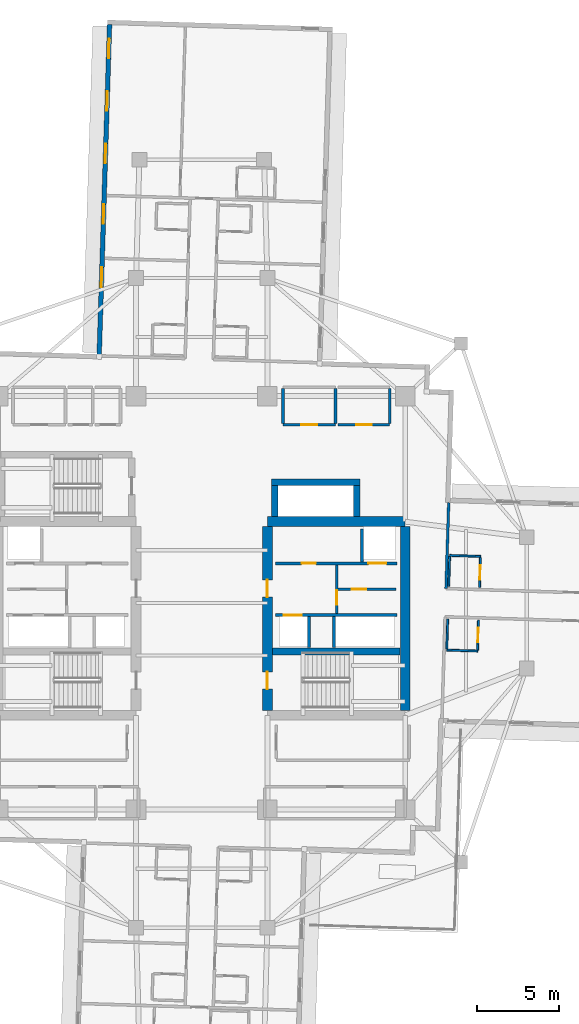
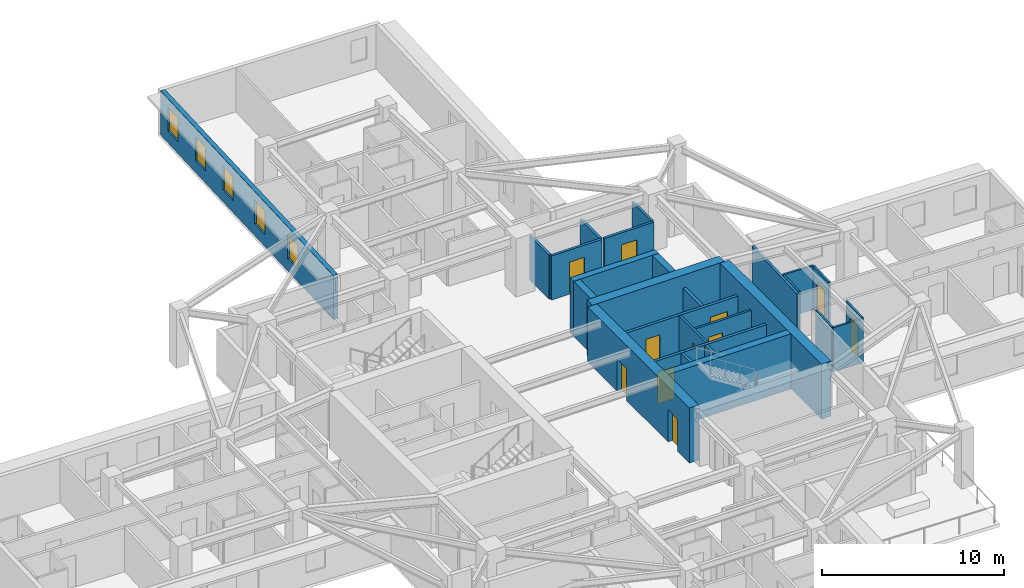
# One storey, part 7 of 14: 27 walls, 11 doors, 5 windows, 16 openings.
"""IFC4 building model written with IfcOpenShell, lengths in metres."""

from ifc_helpers import new_model, si_unit, direction, frame, frame_2d, origin, place, context, subcontext, project, spatial, rectangle, extrude, material, layer, layer_set, type_object, element, fill, save


model = new_model("IFC4")

# Units and contexts
model_context = context("Model", 3, precision=1e-05, world=origin(), true_north=direction((0.0, 1.0)))
body_context = subcontext(model_context, "Body", "Model", "MODEL_VIEW")
ifc_project = project(units=[si_unit("LENGTHUNIT", "METRE"), si_unit("AREAUNIT", "SQUARE_METRE"), si_unit("VOLUMEUNIT", "CUBIC_METRE"), si_unit("PLANEANGLEUNIT", "RADIAN"), si_unit("MASSUNIT", "GRAM", prefix="KILO")], contexts=[model_context])

# Site, building, storey
site_placement = place(None, origin())
site = spatial("IfcSite", under=ifc_project, at=site_placement, CompositionType="ELEMENT")
building_placement = place(site_placement, origin())
building = spatial("IfcBuilding", under=site, at=building_placement, Name="Qingluan Cross Belvedere", CompositionType="ELEMENT")
storey_placement = place(building_placement, frame((0.0, 0.0, 176.10009765625)))
storey = spatial("IfcBuildingStorey", under=building, at=storey_placement, Name="L44", CompositionType="ELEMENT", Elevation=176.10009765625)

# Walls
ifc_material_1 = material(Name="Concrete C50", Category="concrete")
ifc_layer_1 = layer(ifc_material_1, 0.449951171875, Name="CoreShearWall_450")
ifc_layer_set_1 = layer_set([ifc_layer_1], Name="Concrete C50")
wall_type_1 = type_object("IfcWallType", Name="CoreShearWall_450", PredefinedType="SHEAR", material=ifc_layer_set_1)
wall_1_placement = place(storey_placement, frame((4.304931640625, -2.9599609375, 0.0), z_axis=(0.0, 0.0, 1.0), x_axis=(1.0, 0.0, 0.0)))
element("IfcWall", 1, at=wall_1_placement, inside=storey, type_object=wall_type_1, Name="Split core E shear wall L44-M", PredefinedType="SHEAR", context=body_context, shape_type="SweptSolid", body=[
    extrude(rectangle(XDim=7.7900390625, YDim=0.449951171875, at=frame_2d((3.89501953125, 0.0))), origin(), (0.0, 0.0, 1.0), 3.699951171875),
])
wall_2_placement = place(storey_placement, frame((4.449951171875, 5.2548828125, 0.0), z_axis=(0.0, 0.0, 1.0), x_axis=(0.0, 1.0, 0.0)))
element("IfcWall", 2, at=wall_2_placement, inside=storey, type_object=wall_type_1, Name="Express shuttle core wall L44-W", PredefinedType="SHEAR", context=body_context, shape_type="SweptSolid", body=[
    extrude(rectangle(XDim=1.885009765625, YDim=0.39990234375, at=frame_2d((0.9423828125, 0.0))), origin(), (0.0, 0.0, 1.0), 3.699951171875),
])
wall_3_placement = place(storey_placement, frame((4.25, 7.35009765625, 0.0), z_axis=(0.0, 0.0, 1.0), x_axis=(1.0, 0.0, 0.0)))
element("IfcWall", 3, at=wall_3_placement, inside=storey, type_object=wall_type_1, Name="Express shuttle core wall L44-N", PredefinedType="SHEAR", context=body_context, shape_type="SweptSolid", body=[
    extrude(rectangle(XDim=5.39990234375, YDim=0.39990234375, at=frame_2d((2.699951171875, 0.0))), origin(), (0.0, 0.0, 1.0), 3.699951171875),
])
wall_4_placement = place(storey_placement, frame((9.449951171875, 5.2548828125, 0.0), z_axis=(0.0, 0.0, 1.0), x_axis=(0.0, 1.0, 0.0)))
element("IfcWall", 4, at=wall_4_placement, inside=storey, type_object=wall_type_1, Name="Express shuttle core wall L44-E", PredefinedType="SHEAR", context=body_context, shape_type="SweptSolid", body=[
    extrude(rectangle(XDim=1.885009765625, YDim=0.39990234375, at=frame_2d((0.9423828125, 0.0))), origin(), (0.0, 0.0, 1.0), 3.699951171875),
])
ifc_material_2 = material(Name="Concrete C60", Category="concrete")
ifc_layer_2 = layer(ifc_material_2, 0.60009765625, Name="CoreShearWall_600")
ifc_layer_set_2 = layer_set([ifc_layer_2], Name="Concrete C60")
wall_type_2 = type_object("IfcWallType", Name="CoreShearWall_600", PredefinedType="SHEAR", material=ifc_layer_set_2)
wall_5_placement = place(storey_placement, frame((4.0, 4.949951171875, 0.0), z_axis=(0.0, 0.0, 1.0), x_axis=(1.0, 0.0, 0.0)))
element("IfcWall", 5, at=wall_5_placement, inside=storey, type_object=wall_type_2, Name="Split core E shear wall L44-N", PredefinedType="SHEAR", context=body_context, shape_type="SweptSolid", body=[
    extrude(rectangle(XDim=8.39990234375, YDim=0.60009765625, at=frame_2d((4.199951171875, 0.0))), origin(), (0.0, 0.0, 1.0), 3.699951171875),
])

# Wall, openings, doors
wall_6_placement = place(storey_placement, frame((4.0, -6.544921875, 0.0), z_axis=(0.0, 0.0, 1.0), x_axis=(0.0, 1.0, 0.0)))
wall_6 = element("IfcWall", 6, at=wall_6_placement, inside=storey, type_object=wall_type_2, Name="Split core E shear wall L44-W", PredefinedType="SHEAR", context=body_context, shape_type="SweptSolid", body=[
    extrude(rectangle(XDim=11.18994140625, YDim=0.60009765625, at=frame_2d((5.594970703125, 0.0))), origin(), (0.0, 0.0, 1.0), 3.699951171875),
])
opening_1_placement = place(wall_6_placement, frame((1.294921875, 0.0, 0.0)))
opening_1 = element("IfcOpeningElement", 7, at=opening_1_placement, cuts=wall_6, Name="Opening FD-B11", PredefinedType="OPENING", context=body_context, shape_type="SweptSolid", body=[
    extrude(rectangle(XDim=1.050048828125, YDim=2.14990234375, at=frame_2d((0.52490234375, 1.074951171875))), frame((0.0, 0.31005859375, 0.0), z_axis=(0.0, -1.0, 0.0), x_axis=(1.0, 0.0, 0.0)), (0.0, 0.0, 1.0), 0.6201171875),
])
opening_2_placement = place(wall_6_placement, frame((6.89501953125, 0.0, 0.0)))
opening_2 = element("IfcOpeningElement", 8, at=opening_2_placement, cuts=wall_6, Name="Opening FD-B11", PredefinedType="OPENING", context=body_context, shape_type="SweptSolid", body=[
    extrude(rectangle(XDim=1.050048828125, YDim=2.14990234375, at=frame_2d((0.52490234375, 1.074951171875))), frame((0.0, 0.31005859375, 0.0), z_axis=(0.0, -1.0, 0.0), x_axis=(1.0, 0.0, 0.0)), (0.0, 0.0, 1.0), 0.6201171875),
])
ifc_material_3 = material(Name="Steel Class B smoke-seal fire door", Category="steel")
door_type_1 = type_object("IfcDoorType", Name="StairLobbyFireDoor_FDB", OperationType="NOTDEFINED", PredefinedType="DOOR", material=ifc_material_3)
door_1_placement = place(opening_1_placement, origin())
door_1 = element("IfcDoor", 9, at=door_1_placement, inside=storey, type_object=door_type_1, Name="Smoke-proof stair ST2 fire door L44", OperationType="SINGLE_SWING_LEFT", OverallHeight=2.14990234375, OverallWidth=1.050048828125, PredefinedType="DOOR", context=body_context, shape_type="SweptSolid", body=[
    extrude(rectangle(XDim=1.050048828125, YDim=2.14990234375, at=frame_2d((0.52490234375, 1.074951171875))), frame((0.0, 0.02490234375, 0.0), z_axis=(0.0, -1.0, 0.0), x_axis=(1.0, 0.0, 0.0)), (0.0, 0.0, 1.0), 0.050048828125),
])
fill(opening_1, door_1)
door_2_placement = place(opening_2_placement, origin())
door_2 = element("IfcDoor", 10, at=door_2_placement, inside=storey, type_object=door_type_1, Name="Firefighting lobby East fire door L44", OperationType="SINGLE_SWING_LEFT", OverallHeight=2.14990234375, OverallWidth=1.050048828125, PredefinedType="DOOR", context=body_context, shape_type="SweptSolid", body=[
    extrude(rectangle(XDim=1.050048828125, YDim=2.14990234375, at=frame_2d((0.52490234375, 1.074951171875))), frame((0.0, 0.02490234375, 0.0), z_axis=(0.0, -1.0, 0.0), x_axis=(1.0, 0.0, 0.0)), (0.0, 0.0, 1.0), 0.050048828125),
])
fill(opening_2, door_2)

# Wall
wall_7_placement = place(storey_placement, frame((12.39990234375, -6.544921875, 0.0), z_axis=(0.0, 0.0, 1.0), x_axis=(0.0, 1.0, 0.0)))
element("IfcWall", 11, at=wall_7_placement, inside=storey, type_object=wall_type_2, Name="Split core E shear wall L44-E", PredefinedType="SHEAR", context=body_context, shape_type="SweptSolid", body=[
    extrude(rectangle(XDim=11.18994140625, YDim=0.60009765625, at=frame_2d((5.594970703125, 0.0))), origin(), (0.0, 0.0, 1.0), 3.699951171875),
])

# Wall, opening, door
ifc_material_4 = material(Name="Gypsum plasterboard on steel stud acoustic partition", Category="steel")
ifc_layer_3 = layer(ifc_material_4, 0.159912109375, Name="CorridorPartition_160")
ifc_layer_set_3 = layer_set([ifc_layer_3], Name="Gypsum plasterboard on steel stud acoustic partition")
wall_type_3 = type_object("IfcWallType", Name="CorridorPartition_160", PredefinedType="PARTITIONING", material=ifc_layer_set_3)
wall_8_placement = place(storey_placement, frame((8.298095703125, 0.830078125, 0.0), z_axis=(0.0, 0.0, 1.0), x_axis=(1.0, 0.0, 0.0)))
wall_8 = element("IfcWall", 12, at=wall_8_placement, inside=storey, type_object=wall_type_3, Name="Partition L44:e", PredefinedType="PARTITIONING", context=body_context, shape_type="SweptSolid", body=[
    extrude(rectangle(XDim=3.552001953125, YDim=0.139892578125, at=frame_2d((1.77587890625, 0.0))), origin(), (0.0, 0.0, 1.0), 2.9599609375),
])
opening_3_placement = place(wall_8_placement, frame((0.85009765625, 0.0, 0.0)))
opening_3 = element("IfcOpeningElement", 13, at=opening_3_placement, cuts=wall_8, Name="Opening FD-B10", PredefinedType="OPENING", context=body_context, shape_type="SweptSolid", body=[
    extrude(rectangle(XDim=0.8798828125, YDim=2.10009765625, at=frame_2d((0.43994140625, 1.050048828125))), frame((0.0, 0.079833984375, 0.0), z_axis=(0.0, -1.0, 0.0), x_axis=(1.0, 0.0, 0.0)), (0.0, 0.0, 1.0), 0.159912109375),
])
ifc_material_5 = material(Name="Steel Class B service fire door", Category="steel")
door_type_2 = type_object("IfcDoorType", Name="RiserServiceFireDoor_FDB", OperationType="NOTDEFINED", PredefinedType="DOOR", material=ifc_material_5)
door_3_placement = place(opening_3_placement, origin())
door_3 = element("IfcDoor", 14, at=door_3_placement, inside=storey, type_object=door_type_2, Name="Service closet inner door L44", OperationType="SINGLE_SWING_RIGHT", OverallHeight=2.10009765625, OverallWidth=0.8798828125, PredefinedType="DOOR", context=body_context, shape_type="SweptSolid", body=[
    extrude(rectangle(XDim=0.8798828125, YDim=2.10009765625, at=frame_2d((0.43994140625, 1.050048828125))), frame((0.0, 0.02490234375, 0.0), z_axis=(0.0, -1.0, 0.0), x_axis=(1.0, 0.0, 0.0)), (0.0, 0.0, 1.0), 0.050048828125),
])
fill(opening_3, door_3)

wall_9_placement = place(storey_placement, frame((4.949951171875, 10.85009765625, 0.0), z_axis=(0.0, 0.0, 1.0), x_axis=(1.0, 0.0, 0.0)))
wall_9 = element("IfcWall", 15, at=wall_9_placement, inside=storey, type_object=wall_type_3, Name="Partition L44:q_ne1:S", PredefinedType="PARTITIONING", context=body_context, shape_type="SweptSolid", body=[
    extrude(rectangle(XDim=3.199951171875, YDim=0.159912109375, at=frame_2d((1.60009765625, 0.0))), origin(), (0.0, 0.0, 1.0), 2.9599609375),
])
opening_4_placement = place(wall_9_placement, frame((1.1201171875, 0.0, 0.0)))
opening_4 = element("IfcOpeningElement", 16, at=opening_4_placement, cuts=wall_9, Name="Opening GD-10", PredefinedType="OPENING", context=body_context, shape_type="SweptSolid", body=[
    extrude(rectangle(XDim=0.9599609375, YDim=2.14990234375, at=frame_2d((0.47998046875, 1.074951171875))), frame((0.0, 0.08984375, 0.0), z_axis=(0.0, -1.0, 0.0), x_axis=(1.0, 0.0, 0.0)), (0.0, 0.0, 1.0), 0.179931640625),
])
ifc_material_6 = material(Name="Timber oak fire-rated acoustic guestroom door", Category="wood")
door_type_3 = type_object("IfcDoorType", Name="GuestEntryDoor_FD60", OperationType="NOTDEFINED", PredefinedType="DOOR", material=ifc_material_6)
door_4_placement = place(opening_4_placement, origin())
door_4 = element("IfcDoor", 17, at=door_4_placement, inside=storey, type_object=door_type_3, Name="Meditation wellness hall L44 door", OperationType="SINGLE_SWING_LEFT", OverallHeight=2.14990234375, OverallWidth=0.9599609375, PredefinedType="DOOR", context=body_context, shape_type="SweptSolid", body=[
    extrude(rectangle(XDim=0.9599609375, YDim=2.14990234375, at=frame_2d((0.47998046875, 1.074951171875))), frame((0.0, 0.02490234375, 0.0), z_axis=(0.0, -1.0, 0.0), x_axis=(1.0, 0.0, 0.0)), (0.0, 0.0, 1.0), 0.050048828125),
])
fill(opening_4, door_4)

# Walls
for number, where, z_axis, x_axis, name in (
    (18, (4.949951171875, 10.93505859375, 0.0), (0.0, 0.0, 1.0), (0.0, 1.0, 0.0), "Partition L44:q_ne1:W"),
    (19, (8.14990234375, 10.93505859375, 0.0), (0.0, 0.0, 1.0), (0.0, 1.0, 0.0), "Partition L44:q_ne1:E"),
):
    element("IfcWall", number, at=place(storey_placement, frame(where, z_axis=z_axis, x_axis=x_axis)), inside=storey, type_object=wall_type_3, Name=name, PredefinedType="PARTITIONING", context=body_context, shape_type="SweptSolid", body=[
        extrude(rectangle(XDim=2.1298828125, YDim=0.159912109375, at=frame_2d((1.06494140625, 0.0))), origin(), (0.0, 0.0, 1.0), 2.9599609375),
    ])

# Wall, opening, door
wall_10_placement = place(storey_placement, frame((8.31005859375, 10.85009765625, 0.0), z_axis=(0.0, 0.0, 1.0), x_axis=(1.0, 0.0, 0.0)))
wall_10 = element("IfcWall", 20, at=wall_10_placement, inside=storey, type_object=wall_type_3, Name="Partition L44:q_ne2:S", PredefinedType="PARTITIONING", context=body_context, shape_type="SweptSolid", body=[
    extrude(rectangle(XDim=3.139892578125, YDim=0.159912109375, at=frame_2d((1.56982421875, 0.0))), origin(), (0.0, 0.0, 1.0), 2.9599609375),
])
opening_5_placement = place(wall_10_placement, frame((1.090087890625, 0.0, 0.0)))
opening_5 = element("IfcOpeningElement", 21, at=opening_5_placement, cuts=wall_10, Name="Opening GD-10", PredefinedType="OPENING", context=body_context, shape_type="SweptSolid", body=[
    extrude(rectangle(XDim=0.9599609375, YDim=2.14990234375, at=frame_2d((0.47998046875, 1.074951171875))), frame((0.0, 0.08984375, 0.0), z_axis=(0.0, -1.0, 0.0), x_axis=(1.0, 0.0, 0.0)), (0.0, 0.0, 1.0), 0.179931640625),
])
door_5_placement = place(opening_5_placement, origin())
door_5 = element("IfcDoor", 22, at=door_5_placement, inside=storey, type_object=door_type_3, Name="Northeast quiet study L44 door", OperationType="SINGLE_SWING_RIGHT", OverallHeight=2.14990234375, OverallWidth=0.9599609375, PredefinedType="DOOR", context=body_context, shape_type="SweptSolid", body=[
    extrude(rectangle(XDim=0.9599609375, YDim=2.14990234375, at=frame_2d((0.47998046875, 1.074951171875))), frame((0.0, 0.02490234375, 0.0), z_axis=(0.0, -1.0, 0.0), x_axis=(1.0, 0.0, 0.0)), (0.0, 0.0, 1.0), 0.050048828125),
])
fill(opening_5, door_5)

# Walls
wall_11_placement = place(storey_placement, frame((11.449951171875, 10.93505859375, 0.0), z_axis=(0.0, 0.0, 1.0), x_axis=(0.0, 1.0, 0.0)))
element("IfcWall", 23, at=wall_11_placement, inside=storey, type_object=wall_type_3, Name="Partition L44:q_ne2:E", PredefinedType="PARTITIONING", context=body_context, shape_type="SweptSolid", body=[
    extrude(rectangle(XDim=2.1298828125, YDim=0.159912109375, at=frame_2d((1.06494140625, 0.0))), origin(), (0.0, 0.0, 1.0), 2.9599609375),
])
wall_12_placement = place(storey_placement, frame((14.884765625, 0.872802734375, 0.0), z_axis=(0.0, 0.0, 1.0), x_axis=(0.031450353991, 0.99950531526, 0.0)))
element("IfcWall", 24, at=wall_12_placement, inside=storey, type_object=wall_type_3, Name="Partition L44:E:s0", PredefinedType="PARTITIONING", context=body_context, shape_type="SweptSolid", body=[
    extrude(rectangle(XDim=5.232177734375, YDim=0.159912109375, at=frame_2d((2.6162109375, 0.0))), origin(), (0.0, 0.0, 1.0), 2.9599609375),
])

# Wall, opening, door
ifc_material_7 = material(Name="Moisture-resistant gypsum board lining")
ifc_layer_4 = layer(ifc_material_7, 0.1201171875, Name="EnsuiteWetPartition_120")
ifc_layer_set_4 = layer_set([ifc_layer_4], Name="Moisture-resistant gypsum board lining")
wall_type_4 = type_object("IfcWallType", Name="EnsuiteWetPartition_120", PredefinedType="PARTITIONING", material=ifc_layer_set_4)
wall_13_placement = place(storey_placement, frame((16.92822265625, 0.94873046875, 0.0), z_axis=(0.0, 0.0, 1.0), x_axis=(0.031389704724, 0.999507221803, 0.0)))
wall_13 = element("IfcWall", 25, at=wall_13_placement, inside=storey, type_object=wall_type_4, Name="Partition L44:E:bs0_0", PredefinedType="PARTITIONING", context=body_context, shape_type="SweptSolid", body=[
    extrude(rectangle(XDim=1.820068359375, YDim=0.1201171875, at=frame_2d((0.91015625, 0.0))), origin(), (0.0, 0.0, 1.0), 2.9599609375),
])
opening_6_placement = place(wall_13_placement, frame((0.469970703125, 0.0, 0.0)))
opening_6 = element("IfcOpeningElement", 26, at=opening_6_placement, cuts=wall_13, Name="Opening BD-09", PredefinedType="OPENING", context=body_context, shape_type="SweptSolid", body=[
    extrude(rectangle(XDim=0.8798828125, YDim=2.10009765625, at=frame_2d((0.43994140625, 1.050048828125))), frame((0.0, 0.070068359375, 0.0), z_axis=(0.0, -1.0, 0.0), x_axis=(1.0, 0.0, 0.0)), (0.0, 0.0, 1.0), 0.14013671875),
])
ifc_material_8 = material(Name="Moisture-sealed timber en-suite door", Category="wood")
door_type_4 = type_object("IfcDoorType", Name="BathroomDoor_880", OperationType="NOTDEFINED", PredefinedType="DOOR", material=ifc_material_8)
door_6_placement = place(opening_6_placement, origin())
door_6 = element("IfcDoor", 27, at=door_6_placement, inside=storey, type_object=door_type_4, Name="Bathroom door 4401", OperationType="SINGLE_SWING_LEFT", OverallHeight=2.10009765625, OverallWidth=0.8798828125, PredefinedType="DOOR", context=body_context, shape_type="SweptSolid", body=[
    extrude(rectangle(XDim=0.8798828125, YDim=2.10009765625, at=frame_2d((0.43994140625, 1.050048828125))), frame((0.0, 0.02490234375, 0.0), z_axis=(0.0, -1.0, 0.0), x_axis=(1.0, 0.0, 0.0)), (0.0, 0.0, 1.0), 0.050048828125),
])
fill(opening_6, door_6)

# Walls
wall_14_placement = place(storey_placement, frame((15.049072265625, 1.0078125, 0.0), z_axis=(0.0, 0.0, 1.0), x_axis=(0.031389704724, 0.999507221803, 0.0)))
element("IfcWall", 28, at=wall_14_placement, inside=storey, type_object=wall_type_4, Name="Partition L44:E:bw0_0", PredefinedType="PARTITIONING", context=body_context, shape_type="SweptSolid", body=[
    extrude(rectangle(XDim=1.820068359375, YDim=0.1201171875, at=frame_2d((0.91015625, 0.0))), origin(), (0.0, 0.0, 1.0), 2.9599609375),
])
wall_15_placement = place(storey_placement, frame((15.1083984375, 2.891845703125, 0.0), z_axis=(0.0, 0.0, 1.0), x_axis=(0.999505975261, -0.031429371883, 0.0)))
element("IfcWall", 29, at=wall_15_placement, inside=storey, type_object=wall_type_4, Name="Partition L44:E:bn0_0", PredefinedType="PARTITIONING", context=body_context, shape_type="SweptSolid", body=[
    extrude(rectangle(XDim=1.8798828125, YDim=0.1201171875, at=frame_2d((0.93994140625, 0.0))), origin(), (0.0, 0.0, 1.0), 2.9599609375),
])

# Wall, opening, door
wall_16_placement = place(storey_placement, frame((16.80810546875, -2.869384765625, 0.0), z_axis=(0.0, 0.0, 1.0), x_axis=(0.031389704724, 0.999507221803, 0.0)))
wall_16 = element("IfcWall", 30, at=wall_16_placement, inside=storey, type_object=wall_type_4, Name="Partition L44:E:bs1_0", PredefinedType="PARTITIONING", context=body_context, shape_type="SweptSolid", body=[
    extrude(rectangle(XDim=1.820068359375, YDim=0.1201171875, at=frame_2d((0.91015625, 0.0))), origin(), (0.0, 0.0, 1.0), 2.9599609375),
])
opening_7_placement = place(wall_16_placement, frame((0.469970703125, 0.0, 0.0)))
opening_7 = element("IfcOpeningElement", 31, at=opening_7_placement, cuts=wall_16, Name="Opening BD-09", PredefinedType="OPENING", context=body_context, shape_type="SweptSolid", body=[
    extrude(rectangle(XDim=0.8798828125, YDim=2.10009765625, at=frame_2d((0.43994140625, 1.050048828125))), frame((0.0, 0.070068359375, 0.0), z_axis=(0.0, -1.0, 0.0), x_axis=(1.0, 0.0, 0.0)), (0.0, 0.0, 1.0), 0.14013671875),
])
door_7_placement = place(opening_7_placement, origin())
door_7 = element("IfcDoor", 32, at=door_7_placement, inside=storey, type_object=door_type_4, Name="Bathroom door 4403", OperationType="SINGLE_SWING_LEFT", OverallHeight=2.10009765625, OverallWidth=0.8798828125, PredefinedType="DOOR", context=body_context, shape_type="SweptSolid", body=[
    extrude(rectangle(XDim=0.8798828125, YDim=2.10009765625, at=frame_2d((0.43994140625, 1.050048828125))), frame((0.0, 0.02490234375, 0.0), z_axis=(0.0, -1.0, 0.0), x_axis=(1.0, 0.0, 0.0)), (0.0, 0.0, 1.0), 0.050048828125),
])
fill(opening_7, door_7)

# Walls
wall_17_placement = place(storey_placement, frame((14.92919921875, -2.810302734375, 0.0), z_axis=(0.0, 0.0, 1.0), x_axis=(0.031389704724, 0.999507221803, 0.0)))
element("IfcWall", 33, at=wall_17_placement, inside=storey, type_object=wall_type_4, Name="Partition L44:E:bw1_0", PredefinedType="PARTITIONING", context=body_context, shape_type="SweptSolid", body=[
    extrude(rectangle(XDim=1.820068359375, YDim=0.1201171875, at=frame_2d((0.91015625, 0.0))), origin(), (0.0, 0.0, 1.0), 2.9599609375),
])
wall_18_placement = place(storey_placement, frame((14.927001953125, -2.875244140625, 0.0), z_axis=(0.0, 0.0, 1.0), x_axis=(0.999506103526, -0.031425292588, 0.0)))
element("IfcWall", 34, at=wall_18_placement, inside=storey, type_object=wall_type_4, Name="Partition L44:E:bc1_0", PredefinedType="PARTITIONING", context=body_context, shape_type="SweptSolid", body=[
    extrude(rectangle(XDim=1.880126953125, YDim=0.1201171875, at=frame_2d((0.93994140625, 0.0))), origin(), (0.0, 0.0, 1.0), 2.9599609375),
])

# Wall, openings, windows
ifc_material_9 = material(Name="Precast concrete C45", Category="concrete")
ifc_layer_5 = layer(ifc_material_9, 0.280029296875, Name="PrecastFacadeWall_280")
ifc_layer_set_5 = layer_set([ifc_layer_5], Name="Precast concrete C45")
wall_type_5 = type_object("IfcWallType", Name="PrecastFacadeWall_280", PredefinedType="STANDARD", material=ifc_layer_set_5)
wall_19_placement = place(storey_placement, frame((-5.6162109375, 35.23388671875, 0.0), z_axis=(0.0, 0.0, 1.0), x_axis=(-0.031398187845, -0.999506955354, 0.0)))
wall_19 = element("IfcWall", 35, at=wall_19_placement, inside=storey, type_object=wall_type_5, Name="Facade wall L44-NB", PredefinedType="STANDARD", context=body_context, shape_type="SweptSolid", body=[
    extrude(rectangle(XDim=20.10009765625, YDim=0.280029296875, at=frame_2d((10.050048828125, 0.0))), origin(), (0.0, 0.0, 1.0), 2.969970703125),
])
opening_8_placement = place(wall_19_placement, frame((0.85009765625, 0.0, 0.800048828125)))
opening_8 = element("IfcOpeningElement", 36, at=opening_8_placement, cuts=wall_19, Name="Opening W-02", PredefinedType="OPENING", context=body_context, shape_type="SweptSolid", body=[
    extrude(rectangle(XDim=1.199951171875, YDim=1.60009765625, at=frame_2d((0.60009765625, 0.800048828125))), frame((0.0, 0.14990234375, 0.0), z_axis=(0.0, -1.0, 0.0), x_axis=(1.0, 0.0, 0.0)), (0.0, 0.0, 1.0), 0.300048828125),
])
opening_9_placement = place(wall_19_placement, frame((4.050048828125, 0.0, 0.800048828125)))
opening_9 = element("IfcOpeningElement", 37, at=opening_9_placement, cuts=wall_19, Name="Opening W-02", PredefinedType="OPENING", context=body_context, shape_type="SweptSolid", body=[
    extrude(rectangle(XDim=1.199951171875, YDim=1.60009765625, at=frame_2d((0.60009765625, 0.800048828125))), frame((0.0, 0.14990234375, 0.0), z_axis=(0.0, -1.0, 0.0), x_axis=(1.0, 0.0, 0.0)), (0.0, 0.0, 1.0), 0.300048828125),
])
opening_10_placement = place(wall_19_placement, frame((7.25, 0.0, 0.800048828125)))
opening_10 = element("IfcOpeningElement", 38, at=opening_10_placement, cuts=wall_19, Name="Opening W-02", PredefinedType="OPENING", context=body_context, shape_type="SweptSolid", body=[
    extrude(rectangle(XDim=1.199951171875, YDim=1.60009765625, at=frame_2d((0.60009765625, 0.800048828125))), frame((0.0, 0.14990234375, 0.0), z_axis=(0.0, -1.0, 0.0), x_axis=(1.0, 0.0, 0.0)), (0.0, 0.0, 1.0), 0.300048828125),
])
opening_11_placement = place(wall_19_placement, frame((10.949951171875, 0.0, 0.800048828125)))
opening_11 = element("IfcOpeningElement", 39, at=opening_11_placement, cuts=wall_19, Name="Opening W-02", PredefinedType="OPENING", context=body_context, shape_type="SweptSolid", body=[
    extrude(rectangle(XDim=1.199951171875, YDim=1.60009765625, at=frame_2d((0.60009765625, 0.800048828125))), frame((0.0, 0.14990234375, 0.0), z_axis=(0.0, -1.0, 0.0), x_axis=(1.0, 0.0, 0.0)), (0.0, 0.0, 1.0), 0.300048828125),
])
opening_12_placement = place(wall_19_placement, frame((14.799072265625, 0.0, 0.85009765625)))
opening_12 = element("IfcOpeningElement", 40, at=opening_12_placement, cuts=wall_19, Name="Opening W-02", PredefinedType="OPENING", context=body_context, shape_type="SweptSolid", body=[
    extrude(rectangle(XDim=1.199951171875, YDim=1.60009765625, at=frame_2d((0.60009765625, 0.800048828125))), frame((0.0, 0.14990234375, 0.0), z_axis=(0.0, -1.0, 0.0), x_axis=(1.0, 0.0, 0.0)), (0.0, 0.0, 1.0), 0.300048828125),
])
ifc_material_10 = material(Name="Thermally broken triple Low-E glass in aluminium frame", Category="aluminium")
window_type = type_object("IfcWindowType", Name="TriRibbonWin_1200x1600", PartitioningType="SINGLE_PANEL", PredefinedType="WINDOW", material=ifc_material_10)
window_1_placement = place(opening_8_placement, origin())
window_1 = element("IfcWindow", 41, at=window_1_placement, inside=storey, type_object=window_type, Name="Ribbon window L44-NB-1", OverallHeight=1.60009765625, OverallWidth=1.199951171875, PartitioningType="SINGLE_PANEL", PredefinedType="WINDOW", context=body_context, shape_type="SweptSolid", body=[
    extrude(rectangle(XDim=1.199951171875, YDim=1.60009765625, at=frame_2d((0.60009765625, 0.800048828125))), frame((0.0, 0.030029296875, 0.0), z_axis=(0.0, -1.0, 0.0), x_axis=(1.0, 0.0, 0.0)), (0.0, 0.0, 1.0), 0.06005859375),
])
fill(opening_8, window_1)
window_2_placement = place(opening_9_placement, origin())
window_2 = element("IfcWindow", 42, at=window_2_placement, inside=storey, type_object=window_type, Name="Ribbon window L44-NB-2", OverallHeight=1.60009765625, OverallWidth=1.199951171875, PartitioningType="SINGLE_PANEL", PredefinedType="WINDOW", context=body_context, shape_type="SweptSolid", body=[
    extrude(rectangle(XDim=1.199951171875, YDim=1.60009765625, at=frame_2d((0.60009765625, 0.800048828125))), frame((0.0, 0.030029296875, 0.0), z_axis=(0.0, -1.0, 0.0), x_axis=(1.0, 0.0, 0.0)), (0.0, 0.0, 1.0), 0.06005859375),
])
fill(opening_9, window_2)
window_3_placement = place(opening_10_placement, origin())
window_3 = element("IfcWindow", 43, at=window_3_placement, inside=storey, type_object=window_type, Name="Ribbon window L44-NB-3", OverallHeight=1.60009765625, OverallWidth=1.199951171875, PartitioningType="SINGLE_PANEL", PredefinedType="WINDOW", context=body_context, shape_type="SweptSolid", body=[
    extrude(rectangle(XDim=1.199951171875, YDim=1.60009765625, at=frame_2d((0.60009765625, 0.800048828125))), frame((0.0, 0.030029296875, 0.0), z_axis=(0.0, -1.0, 0.0), x_axis=(1.0, 0.0, 0.0)), (0.0, 0.0, 1.0), 0.06005859375),
])
fill(opening_10, window_3)
window_4_placement = place(opening_11_placement, origin())
window_4 = element("IfcWindow", 44, at=window_4_placement, inside=storey, type_object=window_type, Name="Ribbon window L44-NB-4", OverallHeight=1.60009765625, OverallWidth=1.199951171875, PartitioningType="SINGLE_PANEL", PredefinedType="WINDOW", context=body_context, shape_type="SweptSolid", body=[
    extrude(rectangle(XDim=1.199951171875, YDim=1.60009765625, at=frame_2d((0.60009765625, 0.800048828125))), frame((0.0, 0.030029296875, 0.0), z_axis=(0.0, -1.0, 0.0), x_axis=(1.0, 0.0, 0.0)), (0.0, 0.0, 1.0), 0.06005859375),
])
fill(opening_11, window_4)
window_5_placement = place(opening_12_placement, origin())
window_5 = element("IfcWindow", 45, at=window_5_placement, inside=storey, type_object=window_type, Name="Corner hotel suite 4413 daylight window", OverallHeight=1.60009765625, OverallWidth=1.199951171875, PartitioningType="SINGLE_PANEL", PredefinedType="WINDOW", context=body_context, shape_type="SweptSolid", body=[
    extrude(rectangle(XDim=1.199951171875, YDim=1.60009765625, at=frame_2d((0.60009765625, 0.800048828125))), frame((0.0, 0.030029296875, 0.0), z_axis=(0.0, -1.0, 0.0), x_axis=(1.0, 0.0, 0.0)), (0.0, 0.0, 1.0), 0.06005859375),
])
fill(opening_12, window_5)

# Wall, openings, doors
ifc_material_11 = material(Name="Concrete C40", Category="concrete")
ifc_layer_6 = layer(ifc_material_11, 0.219970703125, Name="ShaftEnclosureWall_250")
ifc_layer_set_6 = layer_set([ifc_layer_6], Name="Concrete C40")
wall_type_6 = type_object("IfcWallType", Name="ShaftEnclosureWall_250", PredefinedType="SOLIDWALL", material=ifc_layer_set_6)
wall_20_placement = place(storey_placement, frame((4.47998046875, 2.409912109375, 0.0), z_axis=(0.0, 0.0, 1.0), x_axis=(1.0, 0.0, 0.0)))
wall_20 = element("IfcWall", 46, at=wall_20_placement, inside=storey, type_object=wall_type_6, Name="Core-E north hoistway wall L44", PredefinedType="SOLIDWALL", context=body_context, shape_type="SweptSolid", body=[
    extrude(rectangle(XDim=7.419921875, YDim=0.179931640625, at=frame_2d((3.7099609375, 0.0))), origin(), (0.0, 0.0, 1.0), 2.9599609375),
])
opening_13_placement = place(wall_20_placement, frame((5.669921875, 0.0, 0.0)))
opening_13 = element("IfcOpeningElement", 47, at=opening_13_placement, cuts=wall_20, Name="Opening LD-11", PredefinedType="OPENING", context=body_context, shape_type="SweptSolid", body=[
    extrude(rectangle(XDim=1.10009765625, YDim=2.14990234375, at=frame_2d((0.550048828125, 1.074951171875))), frame((0.0, 0.099853515625, 0.0), z_axis=(0.0, -1.0, 0.0), x_axis=(1.0, 0.0, 0.0)), (0.0, 0.0, 1.0), 0.199951171875),
])
opening_14_placement = place(wall_20_placement, frame((1.60009765625, 0.0, 0.0)))
opening_14 = element("IfcOpeningElement", 48, at=opening_14_placement, cuts=wall_20, Name="Opening FD-B10", PredefinedType="OPENING", context=body_context, shape_type="SweptSolid", body=[
    extrude(rectangle(XDim=0.8798828125, YDim=2.10009765625, at=frame_2d((0.43994140625, 1.050048828125))), frame((0.0, 0.099853515625, 0.0), z_axis=(0.0, -1.0, 0.0), x_axis=(1.0, 0.0, 0.0)), (0.0, 0.0, 1.0), 0.199951171875),
])
ifc_material_12 = material(Name="Brushed stainless steel centre-opening lift landing door", Category="steel")
door_type_5 = type_object("IfcDoorType", Name="LiftLandingSlidingDoor_1100", OperationType="DOUBLE_DOOR_SLIDING", PredefinedType="DOOR", material=ifc_material_12)
door_8_placement = place(opening_13_placement, origin())
door_8 = element("IfcDoor", 49, at=door_8_placement, inside=storey, type_object=door_type_5, Name="Lift landing sliding door FL2 L44", OperationType="DOUBLE_DOOR_SLIDING", OverallHeight=2.14990234375, OverallWidth=1.10009765625, PredefinedType="DOOR", context=body_context, shape_type="SweptSolid", body=[
    extrude(rectangle(XDim=1.10009765625, YDim=2.14990234375, at=frame_2d((0.550048828125, 1.074951171875))), frame((0.0, 0.02490234375, 0.0), z_axis=(0.0, -1.0, 0.0), x_axis=(1.0, 0.0, 0.0)), (0.0, 0.0, 1.0), 0.050048828125),
])
fill(opening_13, door_8)
door_9_placement = place(opening_14_placement, origin())
door_9 = element("IfcDoor", 50, at=door_9_placement, inside=storey, type_object=door_type_2, Name="Pantry room door E L44", OperationType="SINGLE_SWING_RIGHT", OverallHeight=2.10009765625, OverallWidth=0.8798828125, PredefinedType="DOOR", context=body_context, shape_type="SweptSolid", body=[
    extrude(rectangle(XDim=0.8798828125, YDim=2.10009765625, at=frame_2d((0.43994140625, 1.050048828125))), frame((0.0, 0.02490234375, 0.0), z_axis=(0.0, -1.0, 0.0), x_axis=(1.0, 0.0, 0.0)), (0.0, 0.0, 1.0), 0.050048828125),
])
fill(opening_14, door_9)

# Wall, opening, door
wall_21_placement = place(storey_placement, frame((4.47998046875, -0.75, 0.0), z_axis=(0.0, 0.0, 1.0), x_axis=(1.0, 0.0, 0.0)))
wall_21 = element("IfcWall", 51, at=wall_21_placement, inside=storey, type_object=wall_type_6, Name="Core-E mid hoistway wall L44", PredefinedType="SOLIDWALL", context=body_context, shape_type="SweptSolid", body=[
    extrude(rectangle(XDim=7.419921875, YDim=0.179931640625, at=frame_2d((3.7099609375, 0.0))), origin(), (0.0, 0.0, 1.0), 2.9599609375),
])
opening_15_placement = place(wall_21_placement, frame((0.52001953125, 0.0, 0.0)))
opening_15 = element("IfcOpeningElement", 52, at=opening_15_placement, cuts=wall_21, Name="Opening LD-11", PredefinedType="OPENING", context=body_context, shape_type="SweptSolid", body=[
    extrude(rectangle(XDim=1.10009765625, YDim=2.14990234375, at=frame_2d((0.550048828125, 1.074951171875))), frame((0.0, 0.099853515625, 0.0), z_axis=(0.0, -1.0, 0.0), x_axis=(1.0, 0.0, 0.0)), (0.0, 0.0, 1.0), 0.199951171875),
])
door_10_placement = place(opening_15_placement, origin())
door_10 = element("IfcDoor", 53, at=door_10_placement, inside=storey, type_object=door_type_5, Name="Lift landing sliding door LP7 L44", OperationType="DOUBLE_DOOR_SLIDING", OverallHeight=2.14990234375, OverallWidth=1.10009765625, PredefinedType="DOOR", context=body_context, shape_type="SweptSolid", body=[
    extrude(rectangle(XDim=1.10009765625, YDim=2.14990234375, at=frame_2d((0.550048828125, 1.074951171875))), frame((0.0, 0.02490234375, 0.0), z_axis=(0.0, -1.0, 0.0), x_axis=(1.0, 0.0, 0.0)), (0.0, 0.0, 1.0), 0.050048828125),
])
fill(opening_15, door_10)

# Walls
wall_22_placement = place(storey_placement, frame((9.760009765625, 2.5, 0.0), z_axis=(0.0, 0.0, 1.0), x_axis=(0.0, 1.0, 0.0)))
element("IfcWall", 54, at=wall_22_placement, inside=storey, type_object=wall_type_6, Name="Hoistway enclosure divider FL2W L44", PredefinedType="SOLIDWALL", context=body_context, shape_type="SweptSolid", body=[
    extrude(rectangle(XDim=1.989990234375, YDim=0.179931640625, at=frame_2d((0.9951171875, 0.0))), origin(), (0.0, 0.0, 1.0), 2.9599609375),
])
for number, where, z_axis, x_axis, name in (
    (55, (6.5400390625, -2.72998046875, 0.0), (0.0, 0.0, 1.0), (0.0, 1.0, 0.0), "Hoistway enclosure divider LP7E L44"),
    (56, (8.06005859375, -2.72998046875, 0.0), (0.0, 0.0, 1.0), (0.0, 1.0, 0.0), "Hoistway enclosure divider LP9W L44"),
):
    element("IfcWall", number, at=place(storey_placement, frame(where, z_axis=z_axis, x_axis=x_axis)), inside=storey, type_object=wall_type_6, Name=name, PredefinedType="SOLIDWALL", context=body_context, shape_type="SweptSolid", body=[
        extrude(rectangle(XDim=1.889892578125, YDim=0.179931640625, at=frame_2d((0.94482421875, 0.0))), origin(), (0.0, 0.0, 1.0), 2.9599609375),
    ])

# Wall, opening, door
wall_23_placement = place(storey_placement, frame((8.219970703125, -0.64990234375, 0.0), z_axis=(0.0, 0.0, 1.0), x_axis=(0.0, 1.0, 0.0)))
wall_23 = element("IfcWall", 57, at=wall_23_placement, inside=storey, type_object=wall_type_6, Name="Core-E service corridor wall L44", PredefinedType="SOLIDWALL", context=body_context, shape_type="SweptSolid", body=[
    extrude(rectangle(XDim=2.9599609375, YDim=0.139892578125, at=frame_2d((1.47998046875, 0.0))), origin(), (0.0, 0.0, 1.0), 2.9599609375),
])
opening_16_placement = place(wall_23_placement, frame((0.550048828125, 0.0, 0.0)))
opening_16 = element("IfcOpeningElement", 58, at=opening_16_placement, cuts=wall_23, Name="Opening FD-B10", PredefinedType="OPENING", context=body_context, shape_type="SweptSolid", body=[
    extrude(rectangle(XDim=0.8798828125, YDim=2.10009765625, at=frame_2d((0.43994140625, 1.050048828125))), frame((0.0, 0.079833984375, 0.0), z_axis=(0.0, -1.0, 0.0), x_axis=(1.0, 0.0, 0.0)), (0.0, 0.0, 1.0), 0.159912109375),
])
door_11_placement = place(opening_16_placement, origin())
door_11 = element("IfcDoor", 59, at=door_11_placement, inside=storey, type_object=door_type_2, Name="Core-E service room door L44", OperationType="SINGLE_SWING_RIGHT", OverallHeight=2.10009765625, OverallWidth=0.8798828125, PredefinedType="DOOR", context=body_context, shape_type="SweptSolid", body=[
    extrude(rectangle(XDim=0.8798828125, YDim=2.10009765625, at=frame_2d((0.43994140625, 1.050048828125))), frame((0.0, 0.02490234375, 0.0), z_axis=(0.0, -1.0, 0.0), x_axis=(1.0, 0.0, 0.0)), (0.0, 0.0, 1.0), 0.050048828125),
])
fill(opening_16, door_11)

save(model, "model.ifc")
